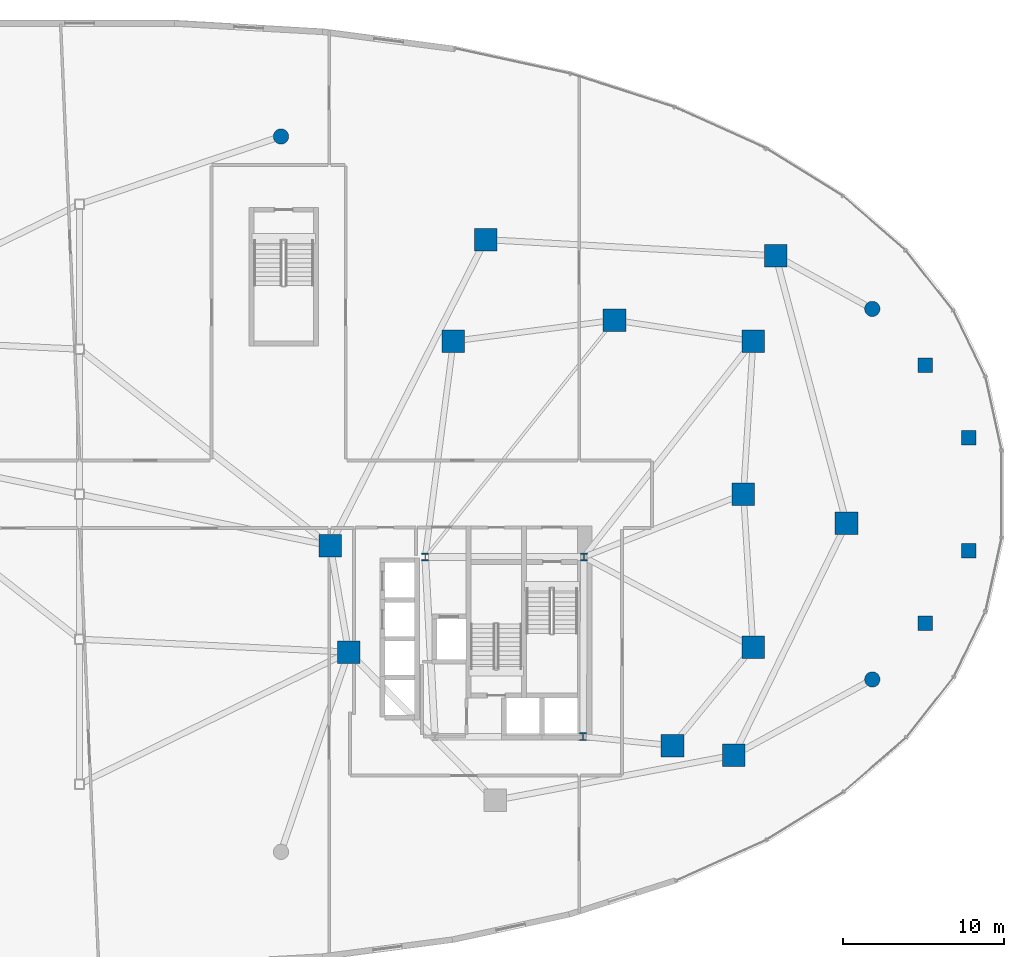
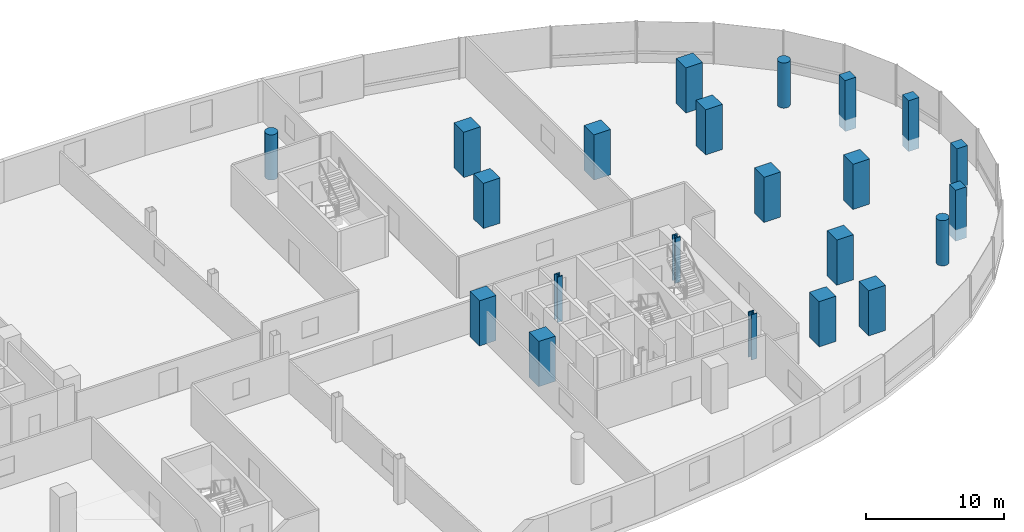
# One storey, part 2 of 19: 22 columns.
"""IFC4 building model written with IfcOpenShell, lengths in metres."""

from ifc_helpers import new_model, si_unit, direction, frame, origin, origin_2d, place, context, subcontext, project, spatial, rectangle, circle, i_section, extrude, material, material_profile, profile_set, type_object, element, save


model = new_model("IFC4")

# Units and contexts
model_context = context("Model", 3, precision=1e-05, world=origin(), true_north=direction((0.0, 1.0)))
body_context = subcontext(model_context, "Body", "Model", "MODEL_VIEW")
ifc_project = project(units=[si_unit("LENGTHUNIT", "METRE"), si_unit("AREAUNIT", "SQUARE_METRE"), si_unit("VOLUMEUNIT", "CUBIC_METRE"), si_unit("PLANEANGLEUNIT", "RADIAN"), si_unit("MASSUNIT", "GRAM", prefix="KILO"), si_unit("THERMODYNAMICTEMPERATUREUNIT", "KELVIN"), si_unit("POWERUNIT", "WATT")], contexts=[model_context])

# Site, building, storey
site_placement = place(None, origin())
site = spatial("IfcSite", under=ifc_project, at=site_placement, CompositionType="ELEMENT")
building_placement = place(site_placement, origin())
building = spatial("IfcBuilding", under=site, at=building_placement, Name="Cundina Bronze Exchange", CompositionType="ELEMENT")
storey_placement = place(building_placement, frame((0.0, 0.0, 16.0)))
storey = spatial("IfcBuildingStorey", under=building, at=storey_placement, Name="L03", CompositionType="ELEMENT", Elevation=16.0)

# Columns
ifc_material_1 = material(Name="Concrete C60/75", Category="concrete")
ifc_material_profile_1 = material_profile(ifc_material_1, rectangle(XDim=1.39990234375, YDim=1.39990234375, at=origin_2d()), Name="RC1400X1400", Category="concrete")
ifc_profile_set_1 = profile_set([ifc_material_profile_1], Name="Concrete C60/75")
column_type_1 = type_object("IfcColumnType", Name="COL-MEGA-1400", PredefinedType="COLUMN", material=ifc_profile_set_1)
for number, where, z_axis, x_axis, name in (
    (1, (41.199951171875, 0.0, 0.0), (0.0, 0.0, 1.0), (1.0, 0.0, 0.0), "L03 E Inner Ring Column 1"),
    (2, (41.800048828125, -9.5, 0.0), (0.0, 0.0, 1.0), (1.0, 0.0, 0.0), "L03 E Inner Ring Column 2"),
    (3, (36.800048828125, -15.60009765625, 0.0), (0.0, 0.0, 1.0), (1.0, 0.0, 0.0), "L03 E Inner Ring Column 3"),
    (4, (41.800048828125, 9.5, 0.0), (0.0, 0.0, 1.0), (1.0, 0.0, 0.0), "L03 E Inner Ring Column 4"),
    (5, (33.199951171875, 10.800048828125, 0.0), (0.0, 0.0, 1.0), (1.0, 0.0, 0.0), "L03 E Inner Ring Column 5"),
    (6, (23.199951171875, 9.5, 0.0), (0.0, 0.0, 1.0), (1.0, 0.0, 0.0), "L03 E Inner Ring Column 6"),
    (7, (15.550048828125, -3.199951171875, 0.0), (0.0, 0.0, 1.0), (1.0, 0.0, 0.0), "L03 E Podium Mega-Column 00"),
    (8, (16.699951171875, -9.800048828125, 0.0), (0.0, 0.0, 1.0), (1.0, 0.0, 0.0), "L03 E Podium Mega-Column 02"),
    (9, (40.60009765625, -16.199951171875, 0.0), (0.0, 0.0, 1.0), (1.0, 0.0, 0.0), "L03 E Podium Mega-Column 06"),
    (10, (47.60009765625, -1.800048828125, 0.0), (0.0, 0.0, 1.0), (1.0, 0.0, 0.0), "L03 E Podium Mega-Column 08"),
    (11, (43.199951171875, 14.800048828125, 0.0), (0.0, 0.0, 1.0), (1.0, 0.0, 0.0), "L03 E Podium Mega-Column 10"),
    (12, (25.199951171875, 15.800048828125, 0.0), (0.0, 0.0, 1.0), (1.0, 0.0, 0.0), "L03 E Podium Mega-Column 12"),
):
    element("IfcColumn", number, at=place(storey_placement, frame(where, z_axis=z_axis, x_axis=x_axis)), inside=storey, type_object=column_type_1, Name=name, PredefinedType="COLUMN", context=body_context, shape_type="SweptSolid", body=[
        extrude(rectangle(XDim=1.39990234375, YDim=1.39990234375, at=origin_2d()), origin(), (0.0, 0.0, 1.0), 4.0),
    ])
ifc_material_2 = material(Name="Concrete C50/60", Category="concrete")
ifc_material_profile_2 = material_profile(ifc_material_2, circle(Radius=0.47509765625, at=origin_2d()), Name="RC950D", Category="concrete")
ifc_profile_set_2 = profile_set([ifc_material_profile_2], Name="Concrete C50/60")
column_type_2 = type_object("IfcColumnType", Name="COL-PIL-950D", PredefinedType="PILASTER", material=ifc_profile_set_2)
for number, where, z_axis, x_axis, name in (
    (13, (12.5, 22.199951171875, 0.0), (0.0, 0.0, 1.0), (1.0, 0.0, 0.0), "L03 Podium Colonnade Pilaster 04"),
    (14, (49.199951171875, 11.5, 0.0), (0.0, 0.0, 1.0), (1.0, 0.0, 0.0), "L03 Podium Colonnade Pilaster 07"),
    (15, (49.199951171875, -11.5, 0.0), (0.0, 0.0, 1.0), (1.0, 0.0, 0.0), "L03 Podium Colonnade Pilaster 08"),
):
    element("IfcColumn", number, at=place(storey_placement, frame(where, z_axis=z_axis, x_axis=x_axis)), inside=storey, type_object=column_type_2, Name=name, PredefinedType="PILASTER", context=body_context, shape_type="SweptSolid", body=[
        extrude(circle(Radius=0.47509765625, at=origin_2d()), origin(), (0.0, 0.0, 1.0), 4.0),
    ])
ifc_material_3 = material(Name="Steel ASTM A992 Grade 50", Category="steel")
ifc_material_profile_3 = material_profile(ifc_material_3, i_section(OverallWidth=0.431884765625, OverallDepth=0.498046875, WebThickness=0.0556640625, FlangeThickness=0.0888671875, FilletRadius=0.01806640625, at=origin_2d()), Name="W14X500", Category="steel")
ifc_profile_set_3 = profile_set([ifc_material_profile_3], Name="Steel ASTM A992 Grade 50")
column_type_3 = type_object("IfcColumnType", Name="COL-STL-W14A", PredefinedType="COLUMN", material=ifc_profile_set_3)
for number, where, z_axis, x_axis, name in (
    (16, (31.300048828125, -3.89990234375, 0.0), (0.0, 0.0, 1.0), (1.0, 0.0, 0.0), "L03 Core Anchor Column E1"),
    (17, (21.449951171875, -3.89990234375, 0.0), (0.0, 0.0, 1.0), (1.0, 0.0, 0.0), "L03 Core Anchor Column E2"),
    (18, (31.25, -15.050048828125, 0.0), (0.0, 0.0, 1.0), (1.0, 0.0, 0.0), "L03 Core Anchor Column E4"),
):
    element("IfcColumn", number, at=place(storey_placement, frame(where, z_axis=z_axis, x_axis=x_axis)), inside=storey, type_object=column_type_3, Name=name, PredefinedType="COLUMN", context=body_context, shape_type="SweptSolid", body=[
        extrude(i_section(OverallWidth=0.431884765625, OverallDepth=0.498046875, WebThickness=0.0556640625, FlangeThickness=0.0888671875, FilletRadius=0.01806640625, at=origin_2d()), origin(), (0.0, 0.0, 1.0), 4.0),
    ])
ifc_material_profile_4 = material_profile(ifc_material_2, rectangle(XDim=0.89990234375, YDim=0.89990234375, at=origin_2d()), Name="RC900X900", Category="concrete")
ifc_profile_set_4 = profile_set([ifc_material_profile_4], Name="Concrete C50/60")
column_type_4 = type_object("IfcColumnType", Name="COL-Z4-900", PredefinedType="COLUMN", material=ifc_profile_set_4)
for number, where, z_axis, x_axis, name in (
    (19, (52.5, -8.0, -1.0), (0.0, 0.0, 1.0), (1.0, 0.0, 0.0), "L03 Podium Crescent Wing Column E1"),
    (20, (52.5, 8.0, -1.0), (0.0, 0.0, 1.0), (1.0, 0.0, 0.0), "L03 Podium Crescent Wing Column E2"),
    (21, (55.199951171875, -3.5, -1.0), (0.0, 0.0, 1.0), (1.0, 0.0, 0.0), "L03 Podium Crescent Wing Column E3"),
    (22, (55.199951171875, 3.5, -1.0), (0.0, 0.0, 1.0), (1.0, 0.0, 0.0), "L03 Podium Crescent Wing Column E4"),
):
    element("IfcColumn", number, at=place(storey_placement, frame(where, z_axis=z_axis, x_axis=x_axis)), inside=storey, type_object=column_type_4, Name=name, PredefinedType="COLUMN", context=body_context, shape_type="SweptSolid", body=[
        extrude(rectangle(XDim=0.89990234375, YDim=0.89990234375, at=origin_2d()), origin(), (0.0, 0.0, 1.0), 4.5),
    ])

save(model, "model.ifc")
